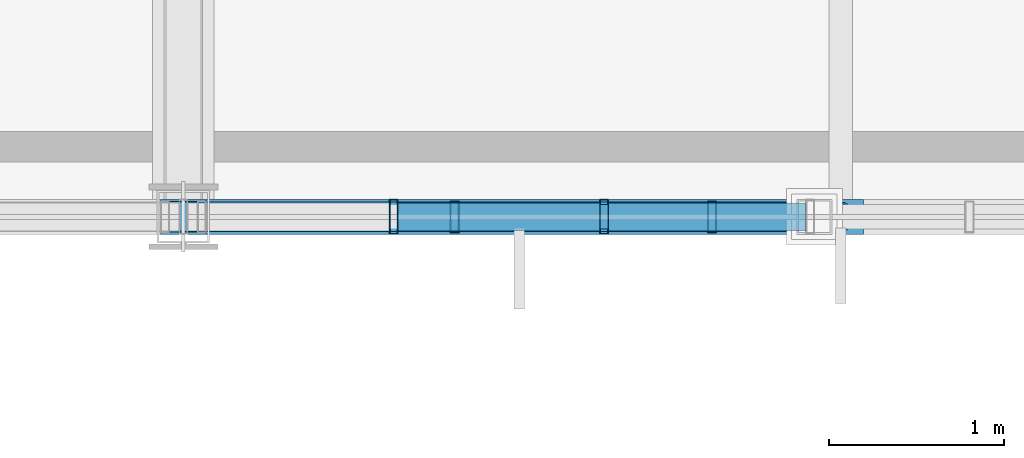
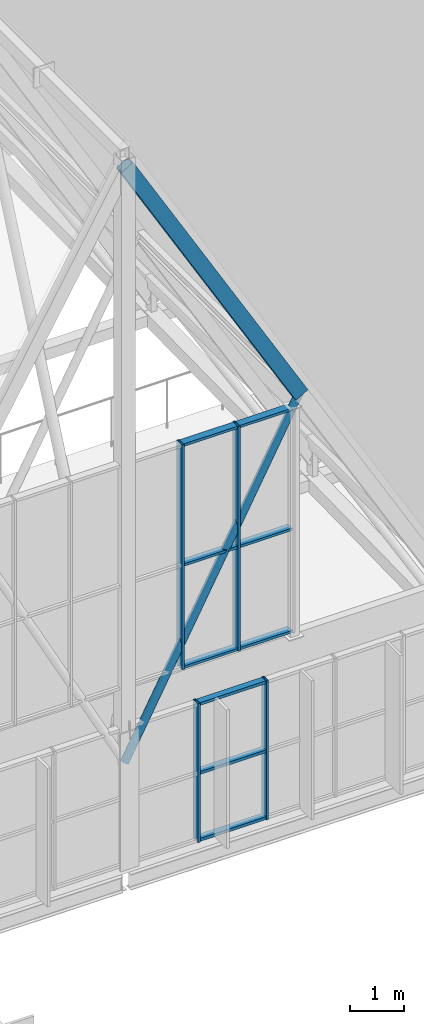
# One storey, part 99 of 324: 15 members, 2 elements without a shape of their own.
"""IFC4 building model written with IfcOpenShell, lengths in metres."""

from ifc_helpers import new_model, si_unit, direction, frame, origin, origin_2d, place, context, subcontext, project, spatial, hollow_rectangle, hollow_circle, extrude, material, layer, layer_set, material_profile, profile_set, type_object, element, aggregate, save


model = new_model("IFC4")

# Units and contexts
model_context = context("Model", 3, precision=1e-05, world=origin(), true_north=direction((0.0, 1.0)))
body_context = subcontext(model_context, "Body", "Model", "MODEL_VIEW")
ifc_project = project(units=[si_unit("LENGTHUNIT", "METRE"), si_unit("AREAUNIT", "SQUARE_METRE"), si_unit("VOLUMEUNIT", "CUBIC_METRE"), si_unit("PLANEANGLEUNIT", "RADIAN"), si_unit("MASSUNIT", "GRAM", prefix="KILO")], contexts=[model_context])

# Site, building, storey
site_placement = place(None, origin())
site = spatial("IfcSite", under=ifc_project, at=site_placement, CompositionType="ELEMENT")
building_placement = place(site_placement, origin())
building = spatial("IfcBuilding", under=site, at=building_placement, Name="Solvenia Promenade Tram Depot", CompositionType="ELEMENT")
storey_placement = place(building_placement, frame((0.0, 0.0, 4.5)))
storey = spatial("IfcBuildingStorey", under=building, at=storey_placement, Name="L01", CompositionType="ELEMENT", Elevation=4.5)

# Curtain wall, members
ifc_material_1 = material(Name="Anodized aluminium AW-6063 T6", Category="aluminium")
ifc_layer_1 = layer(ifc_material_1, 0.159912109375, Name="Anodized aluminium AW-6063 T6", Category="aluminium")
ifc_layer_set_1 = layer_set([ifc_layer_1], Name="Anodized aluminium AW-6063 T6")
curtain_wall_type_1 = type_object("IfcCurtainWallType", Name="CW-Channel-1500", PredefinedType="NOTDEFINED", material=ifc_layer_set_1)
curtain_wall_1_placement = place(storey_placement, origin())
curtain_wall_1 = element("IfcCurtainWall", 1, at=curtain_wall_1_placement, inside=storey, type_object=curtain_wall_type_1, Name="Curtain Wall CW-V1S1-02", PredefinedType="NOTDEFINED")
ifc_material_profile_1 = material_profile(ifc_material_1, hollow_rectangle(XDim=0.179931640625, YDim=0.050048828125, WallThickness=0.00390625, at=origin_2d()), Name="ALU-M2", Category="aluminium")
ifc_profile_set_1 = profile_set([ifc_material_profile_1], Name="Anodized aluminium AW-6063 T6")
member_type_1 = type_object("IfcMemberType", Name="CWM-Mullion-2", PredefinedType="MULLION", material=ifc_profile_set_1)
member_1_placement = place(storey_placement, frame((54.048095703125, 66.0, 0.0), z_axis=(0.0, 0.0, 1.0), x_axis=(0.0, 1.0, 0.0)))
member_1 = element("IfcMember", 2, at=member_1_placement, type_object=member_type_1, Name="CW-2 mullion 2", PredefinedType="MULLION", context=body_context, shape_type="SweptSolid", body=[
    extrude(hollow_rectangle(XDim=0.179931640625, YDim=0.050048828125, WallThickness=0.00390625, at=origin_2d()), origin(), (0.0, 0.0, 1.0), 3.14990234375),
])
member_2_placement = place(storey_placement, frame((55.51611328125, 66.0, 0.0), z_axis=(0.0, 0.0, 1.0), x_axis=(0.0, 1.0, 0.0)))
member_2 = element("IfcMember", 3, at=member_2_placement, type_object=member_type_1, Name="CW-2 mullion 3", PredefinedType="MULLION", context=body_context, shape_type="SweptSolid", body=[
    extrude(hollow_rectangle(XDim=0.179931640625, YDim=0.050048828125, WallThickness=0.00390625, at=origin_2d()), origin(), (0.0, 0.0, 1.0), 3.14990234375),
])

ifc_layer_2 = layer(ifc_material_1, 0.14990234375, Name="Anodized aluminium AW-6063 T6", Category="aluminium")
ifc_layer_set_2 = layer_set([ifc_layer_2], Name="Anodized aluminium AW-6063 T6")
curtain_wall_type_2 = type_object("IfcCurtainWallType", Name="CW-Gable-1200", PredefinedType="NOTDEFINED", material=ifc_layer_set_2)
curtain_wall_2_placement = place(storey_placement, origin())
curtain_wall_2 = element("IfcCurtainWall", 4, at=curtain_wall_2_placement, inside=storey, type_object=curtain_wall_type_2, Name="South Zigzag Gable 04 Peak Glazing", PredefinedType="NOTDEFINED")
ifc_material_profile_2 = material_profile(ifc_material_1, hollow_rectangle(XDim=0.199951171875, YDim=0.048095703125, WallThickness=0.00390625, at=origin_2d()), Name="ALU-M3", Category="aluminium")
ifc_profile_set_2 = profile_set([ifc_material_profile_2], Name="Anodized aluminium AW-6063 T6")
member_type_2 = type_object("IfcMemberType", Name="CWM-Mullion-3", PredefinedType="MULLION", material=ifc_profile_set_2)
member_3_placement = place(storey_placement, frame((53.699951171875, 66.0, 4.050048828125), z_axis=(0.0, 0.0, 1.0), x_axis=(0.0, 1.0, 0.0)))
member_3 = element("IfcMember", 5, at=member_3_placement, type_object=member_type_2, Name="CW-3 mullion 5", PredefinedType="MULLION", context=body_context, shape_type="SweptSolid", body=[
    extrude(hollow_rectangle(XDim=0.199951171875, YDim=0.048095703125, WallThickness=0.00390625, at=origin_2d()), origin(), (0.0, 0.0, 1.0), 5.099853515625),
])
member_4_placement = place(storey_placement, frame((54.89990234375, 66.0, 4.050048828125), z_axis=(0.0, 0.0, 1.0), x_axis=(0.0, 1.0, 0.0)))
member_4 = element("IfcMember", 6, at=member_4_placement, type_object=member_type_2, Name="CW-3 mullion 6", PredefinedType="MULLION", context=body_context, shape_type="SweptSolid", body=[
    extrude(hollow_rectangle(XDim=0.199951171875, YDim=0.048095703125, WallThickness=0.00390625, at=origin_2d()), origin(), (0.0, 0.0, 1.0), 5.099853515625),
])

# Member
ifc_material_profile_3 = material_profile(ifc_material_1, hollow_rectangle(XDim=0.139892578125, YDim=0.06494140625, WallThickness=0.00390625, at=origin_2d()), Name="ALU-T2", Category="aluminium")
ifc_profile_set_3 = profile_set([ifc_material_profile_3], Name="Anodized aluminium AW-6063 T6")
member_type_3 = type_object("IfcMemberType", Name="CWT-Transom-2", PredefinedType="USERDEFINED", material=ifc_profile_set_3)
member_5_placement = place(storey_placement, frame((54.072998046875, 66.0, 0.032470703125), z_axis=(1.0, 0.0, 0.0), x_axis=(0.0, 1.0, 0.0)))
member_5 = element("IfcMember", 7, at=member_5_placement, type_object=member_type_3, Name="CW-2 transom 2.1", ObjectType="TRANSOM", PredefinedType="USERDEFINED", context=body_context, shape_type="SweptSolid", body=[
    extrude(hollow_rectangle(XDim=0.139892578125, YDim=0.06494140625, WallThickness=0.00390625, at=origin_2d()), origin(), (0.0, 0.0, 1.0), 1.41796875),
])

member_6_placement = place(storey_placement, frame((54.072998046875, 66.0, 1.550048828125), z_axis=(1.0, 0.0, 0.0), x_axis=(0.0, 1.0, 0.0)))
member_6 = element("IfcMember", 8, at=member_6_placement, type_object=member_type_3, Name="CW-2 transom 2.2", ObjectType="TRANSOM", PredefinedType="USERDEFINED", context=body_context, shape_type="SweptSolid", body=[
    extrude(hollow_rectangle(XDim=0.139892578125, YDim=0.06494140625, WallThickness=0.00390625, at=origin_2d()), origin(), (0.0, 0.0, 1.0), 1.41796875),
])

member_7_placement = place(storey_placement, frame((54.072998046875, 66.0, 3.117431640625), z_axis=(1.0, 0.0, 0.0), x_axis=(0.0, 1.0, 0.0)))
member_7 = element("IfcMember", 9, at=member_7_placement, type_object=member_type_3, Name="CW-2 transom 2.3", ObjectType="TRANSOM", PredefinedType="USERDEFINED", context=body_context, shape_type="SweptSolid", body=[
    extrude(hollow_rectangle(XDim=0.139892578125, YDim=0.06494140625, WallThickness=0.00390625, at=origin_2d()), origin(), (0.0, 0.0, 1.0), 1.41796875),
])

aggregate(curtain_wall_1, [member_1, member_2, member_5, member_6, member_7])

ifc_material_profile_4 = material_profile(ifc_material_1, hollow_rectangle(XDim=0.159912109375, YDim=0.05810546875, WallThickness=0.00390625, at=origin_2d()), Name="ALU-T3", Category="aluminium")
ifc_profile_set_4 = profile_set([ifc_material_profile_4], Name="Anodized aluminium AW-6063 T6")
member_type_4 = type_object("IfcMemberType", Name="CWT-Transom-3", PredefinedType="USERDEFINED", material=ifc_profile_set_4)
member_8_placement = place(storey_placement, frame((53.72412109375, 66.0, 4.0791015625), z_axis=(1.0, 0.0, 0.0), x_axis=(0.0, 1.0, 0.0)))
member_8 = element("IfcMember", 10, at=member_8_placement, type_object=member_type_4, Name="CW-3 transom 5.1", ObjectType="TRANSOM", PredefinedType="USERDEFINED", context=body_context, shape_type="SweptSolid", body=[
    extrude(hollow_rectangle(XDim=0.159912109375, YDim=0.05810546875, WallThickness=0.00390625, at=origin_2d()), origin(), (0.0, 0.0, 1.0), 1.15185546875),
])

member_9_placement = place(storey_placement, frame((53.72412109375, 66.0, 6.39990234375), z_axis=(1.0, 0.0, 0.0), x_axis=(0.0, 1.0, 0.0)))
member_9 = element("IfcMember", 11, at=member_9_placement, type_object=member_type_4, Name="CW-3 transom 5.2", ObjectType="TRANSOM", PredefinedType="USERDEFINED", context=body_context, shape_type="SweptSolid", body=[
    extrude(hollow_rectangle(XDim=0.159912109375, YDim=0.05810546875, WallThickness=0.00390625, at=origin_2d()), origin(), (0.0, 0.0, 1.0), 1.15185546875),
])

member_10_placement = place(storey_placement, frame((53.72412109375, 66.0, 9.12109375), z_axis=(1.0, 0.0, 0.0), x_axis=(0.0, 1.0, 0.0)))
member_10 = element("IfcMember", 12, at=member_10_placement, type_object=member_type_4, Name="CW-3 transom 5.3", ObjectType="TRANSOM", PredefinedType="USERDEFINED", context=body_context, shape_type="SweptSolid", body=[
    extrude(hollow_rectangle(XDim=0.159912109375, YDim=0.05810546875, WallThickness=0.00390625, at=origin_2d()), origin(), (0.0, 0.0, 1.0), 1.15185546875),
])

member_11_placement = place(storey_placement, frame((54.924072265625, 66.0, 4.0791015625), z_axis=(1.0, 0.0, 0.0), x_axis=(0.0, 1.0, 0.0)))
member_11 = element("IfcMember", 13, at=member_11_placement, type_object=member_type_4, Name="CW-3 transom 6.1", ObjectType="TRANSOM", PredefinedType="USERDEFINED", context=body_context, shape_type="SweptSolid", body=[
    extrude(hollow_rectangle(XDim=0.159912109375, YDim=0.05810546875, WallThickness=0.00390625, at=origin_2d()), origin(), (0.0, 0.0, 1.0), 1.1279296875),
])

member_12_placement = place(storey_placement, frame((54.924072265625, 66.0, 6.39990234375), z_axis=(1.0, 0.0, 0.0), x_axis=(0.0, 1.0, 0.0)))
member_12 = element("IfcMember", 14, at=member_12_placement, type_object=member_type_4, Name="CW-3 transom 6.2", ObjectType="TRANSOM", PredefinedType="USERDEFINED", context=body_context, shape_type="SweptSolid", body=[
    extrude(hollow_rectangle(XDim=0.159912109375, YDim=0.05810546875, WallThickness=0.00390625, at=origin_2d()), origin(), (0.0, 0.0, 1.0), 1.1279296875),
])

member_13_placement = place(storey_placement, frame((54.924072265625, 66.0, 9.12109375), z_axis=(1.0, 0.0, 0.0), x_axis=(0.0, 1.0, 0.0)))
member_13 = element("IfcMember", 15, at=member_13_placement, type_object=member_type_4, Name="CW-3 transom 6.3", ObjectType="TRANSOM", PredefinedType="USERDEFINED", context=body_context, shape_type="SweptSolid", body=[
    extrude(hollow_rectangle(XDim=0.159912109375, YDim=0.05810546875, WallThickness=0.00390625, at=origin_2d()), origin(), (0.0, 0.0, 1.0), 1.1279296875),
])

aggregate(curtain_wall_2, [member_3, member_4, member_8, member_9, member_10, member_11, member_12, member_13])

# Members
ifc_material_2 = material(Name="Structural steel ASTM A500 Gr. C", Category="steel")
ifc_material_profile_5 = material_profile(ifc_material_2, hollow_rectangle(XDim=0.199951171875, YDim=0.300048828125, WallThickness=0.012451171875, at=origin_2d()), Name="HSS300x200x12.5", Category="steel")
ifc_profile_set_5 = profile_set([ifc_material_profile_5], Name="Structural steel ASTM A500 Gr. C")
member_type_5 = type_object("IfcMemberType", Name="Chord-HSS300x200x12", PredefinedType="CHORD", material=ifc_profile_set_5)
member_14_placement = place(storey_placement, frame((52.5, 66.0, 15.859130859375), z_axis=(0.501516268578, 0.0, -0.865148214095), x_axis=(0.0, 1.0, 0.0)))
element("IfcMember", 16, at=member_14_placement, inside=storey, type_object=member_type_5, Name="Zigzag Gable 04 East Upper Rafter", PredefinedType="CHORD", context=body_context, shape_type="SweptSolid", body=[
    extrude(hollow_rectangle(XDim=0.199951171875, YDim=0.300048828125, WallThickness=0.012451171875, at=origin_2d()), origin(), (0.0, 0.0, 1.0), 7.477294921875),
])
ifc_material_profile_6 = material_profile(ifc_material_2, hollow_circle(Radius=0.084228515625, WallThickness=0.008056640625, at=origin_2d()), Name="CHS168.3x8", Category="steel")
ifc_profile_set_6 = profile_set([ifc_material_profile_6], Name="Structural steel ASTM A500 Gr. C")
member_type_6 = type_object("IfcMemberType", Name="WebDiag-CHS168x8", PredefinedType="BRACE", material=ifc_profile_set_6)
member_15_placement = place(storey_placement, frame((52.5, 66.0, 2.320068359375), z_axis=(0.468572976528, 0.0, 0.883424793442), x_axis=(0.0, 1.0, 0.0)))
element("IfcMember", 17, at=member_15_placement, inside=storey, type_object=member_type_6, Name="Zigzag Gable 04 East Knee Strut", PredefinedType="BRACE", context=body_context, shape_type="SweptSolid", body=[
    extrude(hollow_circle(Radius=0.084228515625, WallThickness=0.008056640625, at=origin_2d()), origin(), (0.0, 0.0, 1.0), 8.0029296875),
])

save(model, "model.ifc")
